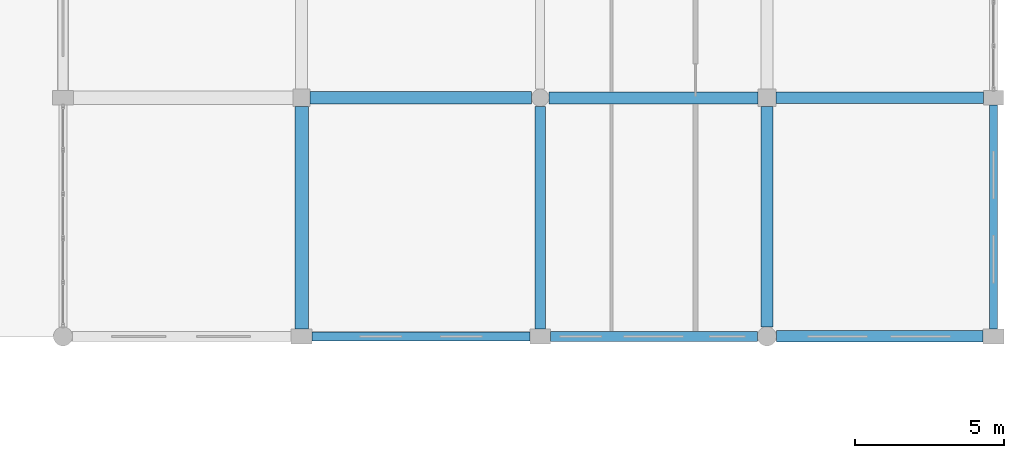
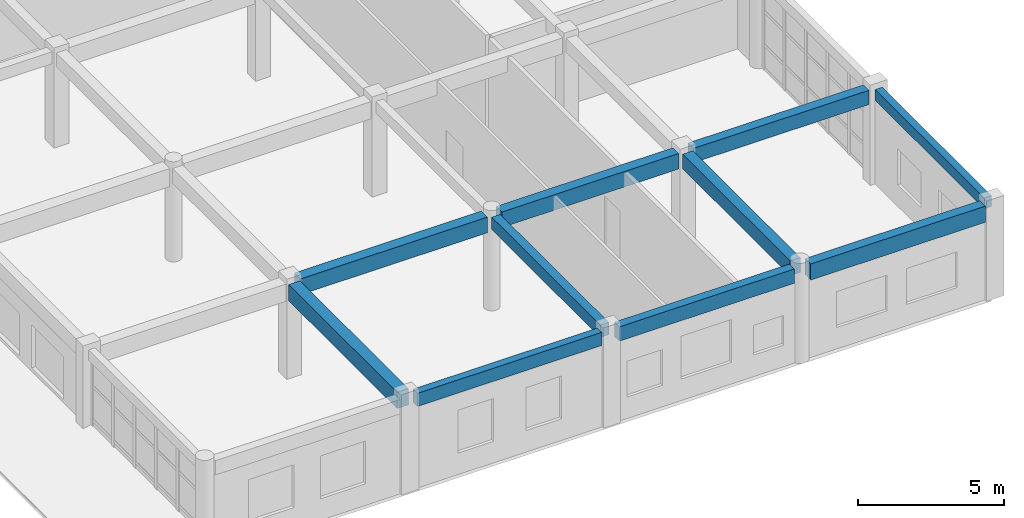
# One storey, part 71 of 121: 10 beams.
"""IFC4 building model written with IfcOpenShell, lengths in metres."""

from ifc_helpers import new_model, si_unit, direction, frame, origin, origin_2d, place, context, subcontext, project, spatial, rectangle, extrude, material, material_profile, profile_set, type_object, element, save


model = new_model("IFC4")

# Units and contexts
model_context = context("Model", 3, precision=1e-05, world=origin(), true_north=direction((0.0, 1.0)))
body_context = subcontext(model_context, "Body", "Model", "MODEL_VIEW")
ifc_project = project(units=[si_unit("LENGTHUNIT", "METRE"), si_unit("AREAUNIT", "SQUARE_METRE"), si_unit("VOLUMEUNIT", "CUBIC_METRE"), si_unit("PLANEANGLEUNIT", "RADIAN"), si_unit("MASSUNIT", "GRAM", prefix="KILO")], contexts=[model_context])

# Site, building, storey
site_placement = place(None, origin())
site = spatial("IfcSite", under=ifc_project, at=site_placement, CompositionType="ELEMENT")
building_placement = place(site_placement, origin())
building = spatial("IfcBuilding", under=site, at=building_placement, Name="Kharva Crest Polytechnic", CompositionType="ELEMENT")
storey_placement = place(building_placement, frame((0.0, 0.0, 13.199951171875)))
storey = spatial("IfcBuildingStorey", under=building, at=storey_placement, Name="L03", CompositionType="ELEMENT", Elevation=13.199951171875)

# Beams
ifc_material = material(Name="Concrete C35/45", Category="concrete")
ifc_material_profile_1 = material_profile(ifc_material, rectangle(XDim=0.340087890625, YDim=0.52001953125, at=origin_2d()), Name="RECT 340 X 520")
ifc_profile_set_1 = profile_set([ifc_material_profile_1], Name="Concrete C35/45")
beam_type_1 = type_object("IfcBeamType", Name="BM-RC-340X520", PredefinedType="BEAM", material=ifc_profile_set_1)
beam_1_placement = place(storey_placement, frame((168.800048828125, 39.050048828125, 3.699951171875), z_axis=(0.0, 1.0, 0.0), x_axis=(-1.0, 0.0, 0.0)))
element("IfcBeam", 1, at=beam_1_placement, inside=storey, type_object=beam_type_1, Name="L03 Girder 22/FJ-G", PredefinedType="BEAM", context=body_context, shape_type="SweptSolid", body=[
    extrude(rectangle(XDim=0.340087890625, YDim=0.52001953125, at=origin_2d()), origin(), (0.0, 0.0, 1.0), 7.4599609375),
])
ifc_material_profile_2 = material_profile(ifc_material, rectangle(XDim=0.3798828125, YDim=0.60009765625, at=origin_2d()), Name="RECT 380 X 600")
ifc_profile_set_2 = profile_set([ifc_material_profile_2], Name="Concrete C35/45")
beam_type_2 = type_object("IfcBeamType", Name="BM-RC-380X600", PredefinedType="BEAM", material=ifc_profile_set_2)
beam_2_placement = place(storey_placement, frame((176.699951171875, 46.800048828125, 3.66015625), z_axis=(1.0, 0.0, 0.0), x_axis=(0.0, 1.0, 0.0)))
element("IfcBeam", 2, at=beam_2_placement, inside=storey, type_object=beam_type_2, Name="L03 Beam G/23-24", PredefinedType="BEAM", context=body_context, shape_type="SweptSolid", body=[
    extrude(rectangle(XDim=0.3798828125, YDim=0.60009765625, at=origin_2d()), origin(), (0.0, 0.0, 1.0), 6.9599609375),
])
ifc_material_profile_3 = material_profile(ifc_material, rectangle(XDim=0.39990234375, YDim=0.6201171875, at=origin_2d()), Name="RECT 400 X 620")
ifc_profile_set_3 = profile_set([ifc_material_profile_3], Name="Concrete C35/45")
beam_type_3 = type_object("IfcBeamType", Name="BM-RC-400X620", PredefinedType="BEAM", material=ifc_profile_set_3)
beam_3_placement = place(storey_placement, frame((176.39990234375, 39.1201171875, 3.650146484375), z_axis=(0.0, 1.0, 0.0), x_axis=(-1.0, 0.0, 0.0)))
element("IfcBeam", 3, at=beam_3_placement, inside=storey, type_object=beam_type_3, Name="L03 Girder 23/FJ-G", PredefinedType="BEAM", context=body_context, shape_type="SweptSolid", body=[
    extrude(rectangle(XDim=0.39990234375, YDim=0.6201171875, at=origin_2d()), origin(), (0.0, 0.0, 1.0), 7.3798828125),
])
ifc_material_profile_4 = material_profile(ifc_material, rectangle(XDim=0.39990234375, YDim=0.64990234375, at=origin_2d()), Name="RECT 400 X 650")
ifc_profile_set_4 = profile_set([ifc_material_profile_4], Name="Concrete C35/45")
beam_type_4 = type_object("IfcBeamType", Name="BM-RC-400X650", PredefinedType="BEAM", material=ifc_profile_set_4)
beam_4_placement = place(storey_placement, frame((169.090087890625, 46.800048828125, 3.635009765625), z_axis=(1.0, 0.0, 0.0), x_axis=(0.0, 1.0, 0.0)))
element("IfcBeam", 4, at=beam_4_placement, inside=storey, type_object=beam_type_4, Name="L03 Beam G/22-23", PredefinedType="BEAM", context=body_context, shape_type="SweptSolid", body=[
    extrude(rectangle(XDim=0.39990234375, YDim=0.64990234375, at=origin_2d()), origin(), (0.0, 0.0, 1.0), 7.010009765625),
])
ifc_material_profile_5 = material_profile(ifc_material, rectangle(XDim=0.419921875, YDim=0.659912109375, at=origin_2d()), Name="RECT 420 X 660")
ifc_profile_set_5 = profile_set([ifc_material_profile_5], Name="Concrete C35/45")
beam_type_5 = type_object("IfcBeamType", Name="BM-RC-420X660", PredefinedType="BEAM", material=ifc_profile_set_5)
beam_5_placement = place(storey_placement, frame((161.090087890625, 46.800048828125, 3.630126953125), z_axis=(1.0, 0.0, 0.0), x_axis=(0.0, 1.0, 0.0)))
element("IfcBeam", 5, at=beam_5_placement, inside=storey, type_object=beam_type_5, Name="L03 Beam G/21-22", PredefinedType="BEAM", context=body_context, shape_type="SweptSolid", body=[
    extrude(rectangle(XDim=0.419921875, YDim=0.659912109375, at=origin_2d()), origin(), (0.0, 0.0, 1.0), 7.419921875),
])
ifc_material_profile_6 = material_profile(ifc_material, rectangle(XDim=0.449951171875, YDim=0.679931640625, at=origin_2d()), Name="RECT 450 X 680")
ifc_profile_set_6 = profile_set([ifc_material_profile_6], Name="Concrete C35/45")
beam_type_6 = type_object("IfcBeamType", Name="BM-RC-450X680", PredefinedType="BEAM", material=ifc_profile_set_6)
beam_6_placement = place(storey_placement, frame((160.800048828125, 39.050048828125, 3.6201171875), z_axis=(0.0, 1.0, 0.0), x_axis=(-1.0, 0.0, 0.0)))
element("IfcBeam", 6, at=beam_6_placement, inside=storey, type_object=beam_type_6, Name="L03 Girder 21/FJ-G", PredefinedType="BEAM", context=body_context, shape_type="SweptSolid", body=[
    extrude(rectangle(XDim=0.449951171875, YDim=0.679931640625, at=origin_2d()), origin(), (0.0, 0.0, 1.0), 7.4599609375),
])
ifc_material_profile_7 = material_profile(ifc_material, rectangle(XDim=0.280029296875, YDim=0.4599609375, at=origin_2d()), Name="RECT 280 X 460")
ifc_profile_set_7 = profile_set([ifc_material_profile_7], Name="Concrete C35/45")
beam_type_7 = type_object("IfcBeamType", Name="SP-RC-280X460", PredefinedType="SPANDREL", material=ifc_profile_set_7)
beam_7_placement = place(storey_placement, frame((184.0, 39.050048828125, 3.72998046875), z_axis=(0.0, 1.0, 0.0), x_axis=(-1.0, 0.0, 0.0)))
element("IfcBeam", 7, at=beam_7_placement, inside=storey, type_object=beam_type_7, Name="L03 Girder 24/FJ-G", PredefinedType="SPANDREL", context=body_context, shape_type="SweptSolid", body=[
    extrude(rectangle(XDim=0.280029296875, YDim=0.4599609375, at=origin_2d()), origin(), (0.0, 0.0, 1.0), 7.5),
])
ifc_material_profile_8 = material_profile(ifc_material, rectangle(XDim=0.300048828125, YDim=0.550048828125, at=origin_2d()), Name="RECT 300 X 550")
ifc_profile_set_8 = profile_set([ifc_material_profile_8], Name="Concrete C35/45")
beam_type_8 = type_object("IfcBeamType", Name="SP-RC-300X550", PredefinedType="SPANDREL", material=ifc_profile_set_8)
beam_8_placement = place(storey_placement, frame((161.14990234375, 38.800048828125, 3.68505859375), z_axis=(1.0, 0.0, 0.0), x_axis=(0.0, 1.0, 0.0)))
element("IfcBeam", 8, at=beam_8_placement, inside=storey, type_object=beam_type_8, Name="L03 Beam FJ/21-22", PredefinedType="SPANDREL", context=body_context, shape_type="SweptSolid", body=[
    extrude(rectangle(XDim=0.300048828125, YDim=0.550048828125, at=origin_2d()), origin(), (0.0, 0.0, 1.0), 7.31005859375),
])
ifc_material_profile_9 = material_profile(ifc_material, rectangle(XDim=0.340087890625, YDim=0.60009765625, at=origin_2d()), Name="RECT 340 X 600")
ifc_profile_set_9 = profile_set([ifc_material_profile_9], Name="Concrete C35/45")
beam_type_9 = type_object("IfcBeamType", Name="SP-RC-340X600", PredefinedType="SPANDREL", material=ifc_profile_set_9)
beam_9_placement = place(storey_placement, frame((169.139892578125, 38.800048828125, 3.66015625), z_axis=(1.0, 0.0, 0.0), x_axis=(0.0, 1.0, 0.0)))
element("IfcBeam", 9, at=beam_9_placement, inside=storey, type_object=beam_type_9, Name="L03 Beam FJ/22-23", PredefinedType="SPANDREL", context=body_context, shape_type="SweptSolid", body=[
    extrude(rectangle(XDim=0.340087890625, YDim=0.60009765625, at=origin_2d()), origin(), (0.0, 0.0, 1.0), 6.940185546875),
])
ifc_material_profile_10 = material_profile(ifc_material, rectangle(XDim=0.3798828125, YDim=0.679931640625, at=origin_2d()), Name="RECT 380 X 680")
ifc_profile_set_10 = profile_set([ifc_material_profile_10], Name="Concrete C35/45")
beam_type_10 = type_object("IfcBeamType", Name="SP-RC-380X680", PredefinedType="SPANDREL", material=ifc_profile_set_10)
beam_10_placement = place(storey_placement, frame((176.719970703125, 38.800048828125, 3.6201171875), z_axis=(1.0, 0.0, 0.0), x_axis=(0.0, 1.0, 0.0)))
element("IfcBeam", 10, at=beam_10_placement, inside=storey, type_object=beam_type_10, Name="L03 Beam FJ/23-24", PredefinedType="SPANDREL", context=body_context, shape_type="SweptSolid", body=[
    extrude(rectangle(XDim=0.3798828125, YDim=0.679931640625, at=origin_2d()), origin(), (0.0, 0.0, 1.0), 6.929931640625),
])

save(model, "model.ifc")
